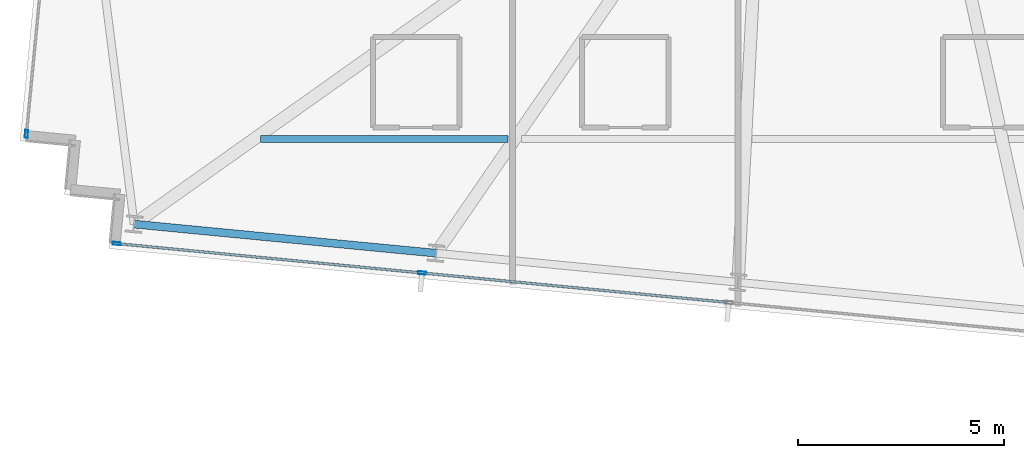
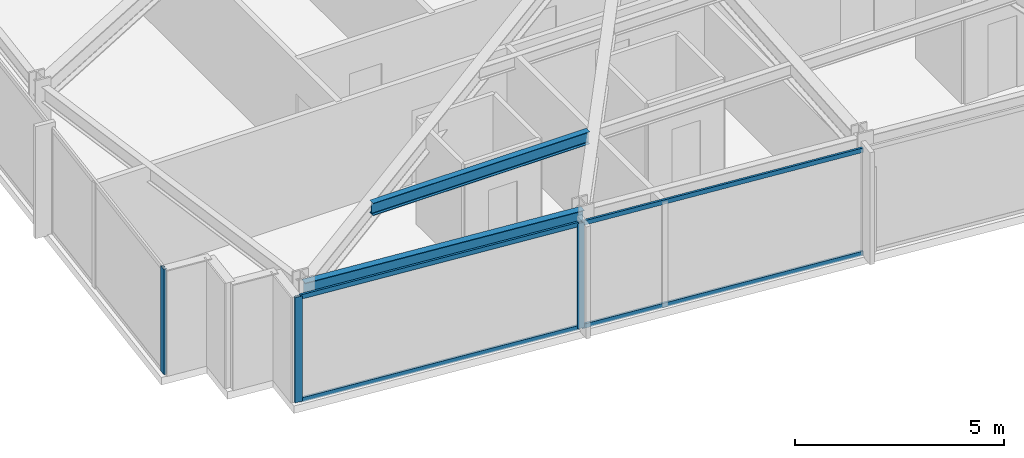
# One storey, part 2 of 38: 7 members, 2 beams, 2 elements without a shape of their own.
"""IFC4 building model written with IfcOpenShell, lengths in metres."""

from ifc_helpers import new_model, si_unit, direction, frame, origin, origin_2d, place, context, subcontext, project, spatial, hollow_rectangle, i_section, extrude, material, material_profile, profile_set, type_object, element, aggregate, save


model = new_model("IFC4")

# Units and contexts
model_context = context("Model", 3, precision=1e-05, world=origin(), true_north=direction((0.0, 1.0)))
body_context = subcontext(model_context, "Body", "Model", "MODEL_VIEW")
ifc_project = project(units=[si_unit("LENGTHUNIT", "METRE"), si_unit("AREAUNIT", "SQUARE_METRE"), si_unit("VOLUMEUNIT", "CUBIC_METRE"), si_unit("PLANEANGLEUNIT", "RADIAN"), si_unit("MASSUNIT", "GRAM", prefix="KILO")], contexts=[model_context])

# Site, building, storey
site_placement = place(None, origin())
site = spatial("IfcSite", under=ifc_project, at=site_placement, CompositionType="ELEMENT")
building_placement = place(site_placement, origin())
building = spatial("IfcBuilding", under=site, at=building_placement, Name="Yelkora Congress Tower", CompositionType="ELEMENT")
storey_placement = place(building_placement, frame((0.0, 0.0, 185.300048828125)))
storey = spatial("IfcBuildingStorey", under=building, at=storey_placement, Name="L51", CompositionType="ELEMENT", Elevation=185.300048828125)

# Beams
ifc_material_1 = material(Name="Steel S355J2", Category="steel")
ifc_material_profile_1 = material_profile(ifc_material_1, i_section(OverallWidth=0.169921875, OverallDepth=0.360107421875, WebThickness=0.008056640625, FlangeThickness=0.0126953125, FilletRadius=0.01806640625, at=origin_2d()), Name="IPE 360")
ifc_profile_set_1 = profile_set([ifc_material_profile_1], Name="Steel S355J2")
beam_type_1 = type_object("IfcBeamType", Name="BM-JOIST-IPE360", PredefinedType="JOIST", material=ifc_profile_set_1)
beam_1_placement = place(storey_placement, frame((6.98779296875, 16.421142578125, 2.89990234375), z_axis=(1.0, 0.0, 0.0), x_axis=(0.0, 1.0, 0.0)))
element("IfcBeam", 1, at=beam_1_placement, inside=storey, type_object=beam_type_1, Name="L51 Composite Floor Joist 5", PredefinedType="JOIST", context=body_context, shape_type="SweptSolid", body=[
    extrude(i_section(OverallWidth=0.169921875, OverallDepth=0.360107421875, WebThickness=0.008056640625, FlangeThickness=0.0126953125, FilletRadius=0.01806640625, at=origin_2d()), origin(), (0.0, 0.0, 1.0), 6.002685546875),
])
ifc_material_profile_2 = material_profile(ifc_material_1, i_section(OverallWidth=0.18994140625, OverallDepth=0.449951171875, WebThickness=0.009521484375, FlangeThickness=0.0146484375, FilletRadius=0.02099609375, at=origin_2d()), Name="IPE 450")
ifc_profile_set_2 = profile_set([ifc_material_profile_2], Name="Steel S355J2")
beam_type_2 = type_object("IfcBeamType", Name="BM-SPAN-IPE450", PredefinedType="SPANDREL", material=ifc_profile_set_2)
beam_2_placement = place(storey_placement, frame((3.919189453125, 14.357421875, 2.85498046875), z_axis=(0.995393938538, -0.095869218844, 0.0), x_axis=(0.095869218844, 0.995393938538, 0.0)))
element("IfcBeam", 2, at=beam_2_placement, inside=storey, type_object=beam_type_2, Name="L51 Perimeter Beam 2", PredefinedType="SPANDREL", context=body_context, shape_type="SweptSolid", body=[
    extrude(i_section(OverallWidth=0.18994140625, OverallDepth=0.449951171875, WebThickness=0.009521484375, FlangeThickness=0.0146484375, FilletRadius=0.02099609375, at=origin_2d()), origin(), (0.0, 0.0, 1.0), 7.357177734375),
])

# Curtain wall, member
ifc_material_2 = material(Name="Anodised aluminium and insulated glass", Category="aluminium")
curtain_wall_type = type_object("IfcCurtainWallType", Name="CW-SYS-B3", PredefinedType="NOTDEFINED", material=ifc_material_2)
curtain_wall_1_placement = place(storey_placement, origin())
curtain_wall_1 = element("IfcCurtainWall", 3, at=curtain_wall_1_placement, inside=storey, type_object=curtain_wall_type, Name="L51 Unitised Curtain Wall 5", PredefinedType="NOTDEFINED")
ifc_material_3 = material(Name="Anodised aluminium 6063-T6", Category="aluminium")
ifc_material_profile_3 = material_profile(ifc_material_3, hollow_rectangle(XDim=0.070068359375, YDim=0.18994140625, WallThickness=0.00390625, at=origin_2d()), Name="ALU 70x190x4")
ifc_profile_set_3 = profile_set([ifc_material_profile_3], Name="Anodised aluminium 6063-T6")
member_type_1 = type_object("IfcMemberType", Name="MEM-ML-B3", PredefinedType="MULLION", material=ifc_profile_set_3)
member_1_placement = place(storey_placement, frame((1.306640625, 16.542724609375, 0.0), z_axis=(0.0, 0.0, 1.0), x_axis=(-0.995396242473, 0.095845294465, 0.0)))
member_1 = element("IfcMember", 4, at=member_1_placement, type_object=member_type_1, Name="CW-B3 mullion 1", PredefinedType="MULLION", context=body_context, shape_type="SweptSolid", body=[
    extrude(hollow_rectangle(XDim=0.070068359375, YDim=0.18994140625, WallThickness=0.00390625, at=origin_2d()), origin(), (0.0, 0.0, 1.0), 3.079833984375),
])
aggregate(curtain_wall_1, [member_1])

# Curtain wall, members
curtain_wall_2_placement = place(storey_placement, origin())
curtain_wall_2 = element("IfcCurtainWall", 5, at=curtain_wall_2_placement, inside=storey, type_object=curtain_wall_type, Name="L51 Unitised Curtain Wall 20", PredefinedType="NOTDEFINED")
member_2_placement = place(storey_placement, frame((10.902099609375, 13.172607421875, 0.0), z_axis=(0.0, 0.0, 1.0), x_axis=(-0.095844680679, -0.995396301573, 0.0)))
member_2 = element("IfcMember", 6, at=member_2_placement, type_object=member_type_1, Name="CW-B3 mullion 7", PredefinedType="MULLION", context=body_context, shape_type="SweptSolid", body=[
    extrude(hollow_rectangle(XDim=0.070068359375, YDim=0.18994140625, WallThickness=0.00390625, at=origin_2d()), origin(), (0.0, 0.0, 1.0), 3.079833984375),
])
member_3_placement = place(storey_placement, frame((3.4970703125, 13.885498046875, 0.0), z_axis=(0.0, 0.0, 1.0), x_axis=(-0.095844680679, -0.995396301573, 0.0)))
member_3 = element("IfcMember", 7, at=member_3_placement, type_object=member_type_1, Name="CW-B3 mullion 8", PredefinedType="MULLION", context=body_context, shape_type="SweptSolid", body=[
    extrude(hollow_rectangle(XDim=0.070068359375, YDim=0.18994140625, WallThickness=0.00390625, at=origin_2d()), origin(), (0.0, 0.0, 1.0), 3.079833984375),
])
ifc_material_profile_4 = material_profile(ifc_material_3, hollow_rectangle(XDim=0.06005859375, YDim=0.1298828125, WallThickness=0.00390625, at=origin_2d()), Name="ALU 60x130x4")
ifc_profile_set_4 = profile_set([ifc_material_profile_4], Name="Anodised aluminium 6063-T6")
member_type_2 = type_object("IfcMemberType", Name="MEM-TR-B3", PredefinedType="USERDEFINED", material=ifc_profile_set_4)
member_4_placement = place(storey_placement, frame((18.30712890625, 12.45947265625, 0.030029296875), z_axis=(-0.99539548672, 0.095853142967, 0.0), x_axis=(-0.095853142967, -0.99539548672, 0.0)))
member_4 = element("IfcMember", 8, at=member_4_placement, type_object=member_type_2, Name="CW-B3 transom 6.1", ObjectType="TRANSOM", PredefinedType="USERDEFINED", context=body_context, shape_type="SweptSolid", body=[
    extrude(hollow_rectangle(XDim=0.06005859375, YDim=0.1298828125, WallThickness=0.00390625, at=origin_2d()), origin(), (0.0, 0.0, 1.0), 7.404296875),
])
member_5_placement = place(storey_placement, frame((18.30712890625, 12.45947265625, 3.050048828125), z_axis=(-0.99539548672, 0.095853142967, 0.0), x_axis=(-0.095853142967, -0.99539548672, 0.0)))
member_5 = element("IfcMember", 9, at=member_5_placement, type_object=member_type_2, Name="CW-B3 transom 6.2", ObjectType="TRANSOM", PredefinedType="USERDEFINED", context=body_context, shape_type="SweptSolid", body=[
    extrude(hollow_rectangle(XDim=0.06005859375, YDim=0.1298828125, WallThickness=0.00390625, at=origin_2d()), origin(), (0.0, 0.0, 1.0), 7.404296875),
])
member_6_placement = place(storey_placement, frame((10.8671875, 13.17578125, 0.030029296875), z_axis=(-0.995396212442, 0.095845606344, 0.0), x_axis=(-0.095845606344, -0.995396212442, 0.0)))
member_6 = element("IfcMember", 10, at=member_6_placement, type_object=member_type_2, Name="CW-B3 transom 7.1", ObjectType="TRANSOM", PredefinedType="USERDEFINED", context=body_context, shape_type="SweptSolid", body=[
    extrude(hollow_rectangle(XDim=0.06005859375, YDim=0.1298828125, WallThickness=0.00390625, at=origin_2d()), origin(), (0.0, 0.0, 1.0), 7.369140625),
])
member_7_placement = place(storey_placement, frame((10.8671875, 13.17578125, 3.050048828125), z_axis=(-0.995396212442, 0.095845606344, 0.0), x_axis=(-0.095845606344, -0.995396212442, 0.0)))
member_7 = element("IfcMember", 11, at=member_7_placement, type_object=member_type_2, Name="CW-B3 transom 7.2", ObjectType="TRANSOM", PredefinedType="USERDEFINED", context=body_context, shape_type="SweptSolid", body=[
    extrude(hollow_rectangle(XDim=0.06005859375, YDim=0.1298828125, WallThickness=0.00390625, at=origin_2d()), origin(), (0.0, 0.0, 1.0), 7.369140625),
])
aggregate(curtain_wall_2, [member_2, member_3, member_4, member_5, member_6, member_7])

save(model, "model.ifc")
